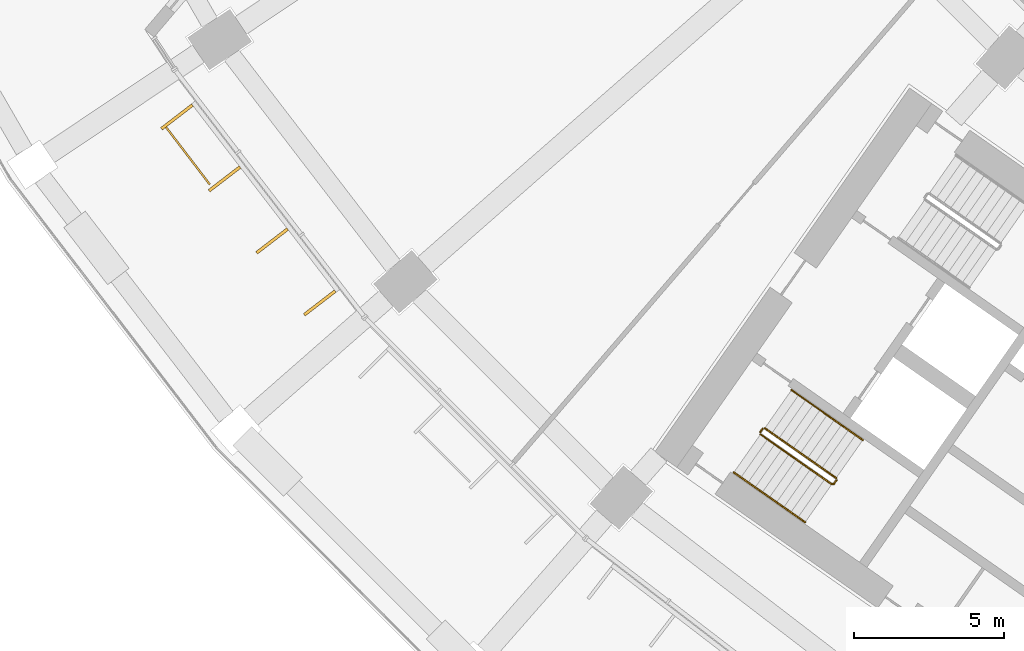
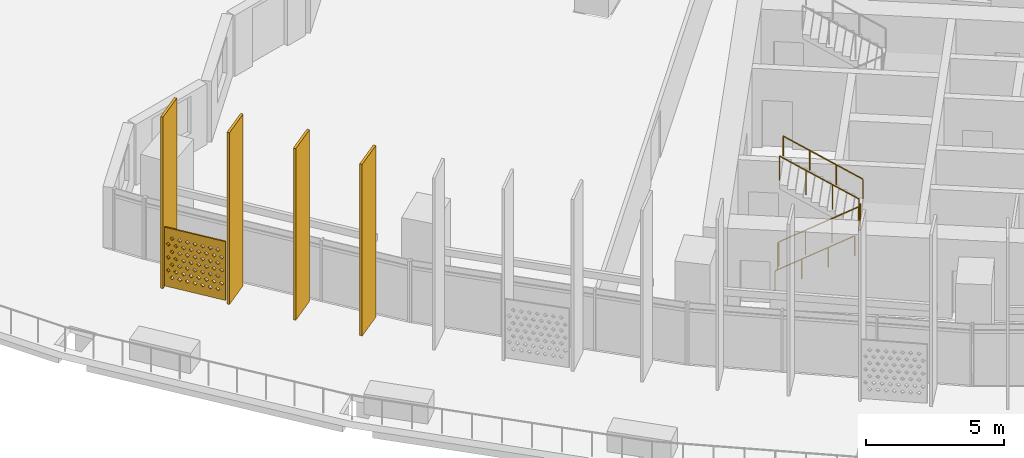
# One storey, part 26 of 35: 5 railings, 5 shading devices.
"""IFC4 building model written with IfcOpenShell, lengths in metres."""

from ifc_helpers import new_model, si_unit, direction, frame, origin, origin_2d, place, context, subcontext, project, spatial, polyline, rectangle, circle, outline, extrude, material, material_profile, profile_set, type_object, element, save


model = new_model("IFC4")

# Units and contexts
model_context = context("Model", 3, precision=1e-05, world=origin(), true_north=direction((0.0, 1.0)))
body_context = subcontext(model_context, "Body", "Model", "MODEL_VIEW")
ifc_project = project(units=[si_unit("LENGTHUNIT", "METRE"), si_unit("AREAUNIT", "SQUARE_METRE"), si_unit("VOLUMEUNIT", "CUBIC_METRE"), si_unit("PLANEANGLEUNIT", "RADIAN"), si_unit("MASSUNIT", "GRAM", prefix="KILO")], contexts=[model_context])

# Site, building, storey
site_placement = place(None, origin())
site = spatial("IfcSite", under=ifc_project, at=site_placement, CompositionType="ELEMENT")
building_placement = place(site_placement, origin())
building = spatial("IfcBuilding", under=site, at=building_placement, Name="Qamariyya Broadcast Tower", CompositionType="ELEMENT")
storey_placement = place(building_placement, frame((0.0, 0.0, 40.5)))
storey = spatial("IfcBuildingStorey", under=building, at=storey_placement, Name="L06", CompositionType="ELEMENT", Elevation=40.5)

# Shading device
ifc_material_1 = material(Name="Perforated glazed terracotta", Category="masonry")
ifc_material_profile_1 = material_profile(ifc_material_1, outline(polyline([(-1.199951171875, -1.300048828125), (1.199951171875, -1.300048828125), (1.199951171875, 1.300048828125), (-1.199951171875, 1.300048828125), (-1.199951171875, -1.300048828125)]), holes=[polyline([(-0.81494140625, -0.86669921875), (-0.89990234375, -0.78173828125), (-0.985107421875, -0.86669921875), (-0.89990234375, -0.95166015625), (-0.81494140625, -0.86669921875)]), polyline([(-0.514892578125, -0.86669921875), (-0.60009765625, -0.78173828125), (-0.68505859375, -0.86669921875), (-0.60009765625, -0.95166015625), (-0.514892578125, -0.86669921875)]), polyline([(-0.215087890625, -0.86669921875), (-0.300048828125, -0.78173828125), (-0.385009765625, -0.86669921875), (-0.300048828125, -0.95166015625), (-0.215087890625, -0.86669921875)]), polyline([(0.0849609375, -0.86669921875), (0.0, -0.78173828125), (-0.0849609375, -0.86669921875), (0.0, -0.95166015625), (0.0849609375, -0.86669921875)]), polyline([(0.385009765625, -0.86669921875), (0.300048828125, -0.78173828125), (0.215087890625, -0.86669921875), (0.300048828125, -0.95166015625), (0.385009765625, -0.86669921875)]), polyline([(0.68505859375, -0.86669921875), (0.60009765625, -0.78173828125), (0.514892578125, -0.86669921875), (0.60009765625, -0.95166015625), (0.68505859375, -0.86669921875)]), polyline([(0.985107421875, -0.86669921875), (0.89990234375, -0.78173828125), (0.81494140625, -0.86669921875), (0.89990234375, -0.95166015625), (0.985107421875, -0.86669921875)]), polyline([(-0.965087890625, -0.577880859375), (-1.050048828125, -0.49267578125), (-1.135009765625, -0.577880859375), (-1.050048828125, -0.662841796875), (-0.965087890625, -0.577880859375)]), polyline([(-0.6650390625, -0.577880859375), (-0.75, -0.49267578125), (-0.8349609375, -0.577880859375), (-0.75, -0.662841796875), (-0.6650390625, -0.577880859375)]), polyline([(-0.364990234375, -0.577880859375), (-0.449951171875, -0.49267578125), (-0.534912109375, -0.577880859375), (-0.449951171875, -0.662841796875), (-0.364990234375, -0.577880859375)]), polyline([(-0.06494140625, -0.577880859375), (-0.14990234375, -0.49267578125), (-0.235107421875, -0.577880859375), (-0.14990234375, -0.662841796875), (-0.06494140625, -0.577880859375)]), polyline([(0.235107421875, -0.577880859375), (0.14990234375, -0.49267578125), (0.06494140625, -0.577880859375), (0.14990234375, -0.662841796875), (0.235107421875, -0.577880859375)]), polyline([(0.534912109375, -0.577880859375), (0.449951171875, -0.49267578125), (0.364990234375, -0.577880859375), (0.449951171875, -0.662841796875), (0.534912109375, -0.577880859375)]), polyline([(0.8349609375, -0.577880859375), (0.75, -0.49267578125), (0.6650390625, -0.577880859375), (0.75, -0.662841796875), (0.8349609375, -0.577880859375)]), polyline([(1.135009765625, -0.577880859375), (1.050048828125, -0.49267578125), (0.965087890625, -0.577880859375), (1.050048828125, -0.662841796875), (1.135009765625, -0.577880859375)]), polyline([(-0.81494140625, -0.288818359375), (-0.89990234375, -0.203857421875), (-0.985107421875, -0.288818359375), (-0.89990234375, -0.373779296875), (-0.81494140625, -0.288818359375)]), polyline([(-0.514892578125, -0.288818359375), (-0.60009765625, -0.203857421875), (-0.68505859375, -0.288818359375), (-0.60009765625, -0.373779296875), (-0.514892578125, -0.288818359375)]), polyline([(-0.215087890625, -0.288818359375), (-0.300048828125, -0.203857421875), (-0.385009765625, -0.288818359375), (-0.300048828125, -0.373779296875), (-0.215087890625, -0.288818359375)]), polyline([(0.0849609375, -0.288818359375), (0.0, -0.203857421875), (-0.0849609375, -0.288818359375), (0.0, -0.373779296875), (0.0849609375, -0.288818359375)]), polyline([(0.385009765625, -0.288818359375), (0.300048828125, -0.203857421875), (0.215087890625, -0.288818359375), (0.300048828125, -0.373779296875), (0.385009765625, -0.288818359375)]), polyline([(0.68505859375, -0.288818359375), (0.60009765625, -0.203857421875), (0.514892578125, -0.288818359375), (0.60009765625, -0.373779296875), (0.68505859375, -0.288818359375)]), polyline([(0.985107421875, -0.288818359375), (0.89990234375, -0.203857421875), (0.81494140625, -0.288818359375), (0.89990234375, -0.373779296875), (0.985107421875, -0.288818359375)]), polyline([(-0.965087890625, 0.0), (-1.050048828125, 0.0849609375), (-1.135009765625, 0.0), (-1.050048828125, -0.0849609375), (-0.965087890625, 0.0)]), polyline([(-0.6650390625, 0.0), (-0.75, 0.0849609375), (-0.8349609375, 0.0), (-0.75, -0.0849609375), (-0.6650390625, 0.0)]), polyline([(-0.364990234375, 0.0), (-0.449951171875, 0.0849609375), (-0.534912109375, 0.0), (-0.449951171875, -0.0849609375), (-0.364990234375, 0.0)]), polyline([(-0.06494140625, 0.0), (-0.14990234375, 0.0849609375), (-0.235107421875, 0.0), (-0.14990234375, -0.0849609375), (-0.06494140625, 0.0)]), polyline([(0.235107421875, 0.0), (0.14990234375, 0.0849609375), (0.06494140625, 0.0), (0.14990234375, -0.0849609375), (0.235107421875, 0.0)]), polyline([(0.534912109375, 0.0), (0.449951171875, 0.0849609375), (0.364990234375, 0.0), (0.449951171875, -0.0849609375), (0.534912109375, 0.0)]), polyline([(0.8349609375, 0.0), (0.75, 0.0849609375), (0.6650390625, 0.0), (0.75, -0.0849609375), (0.8349609375, 0.0)]), polyline([(1.135009765625, 0.0), (1.050048828125, 0.0849609375), (0.965087890625, 0.0), (1.050048828125, -0.0849609375), (1.135009765625, 0.0)]), polyline([(-0.81494140625, 0.288818359375), (-0.89990234375, 0.373779296875), (-0.985107421875, 0.288818359375), (-0.89990234375, 0.203857421875), (-0.81494140625, 0.288818359375)]), polyline([(-0.514892578125, 0.288818359375), (-0.60009765625, 0.373779296875), (-0.68505859375, 0.288818359375), (-0.60009765625, 0.203857421875), (-0.514892578125, 0.288818359375)]), polyline([(-0.215087890625, 0.288818359375), (-0.300048828125, 0.373779296875), (-0.385009765625, 0.288818359375), (-0.300048828125, 0.203857421875), (-0.215087890625, 0.288818359375)]), polyline([(0.0849609375, 0.288818359375), (0.0, 0.373779296875), (-0.0849609375, 0.288818359375), (0.0, 0.203857421875), (0.0849609375, 0.288818359375)]), polyline([(0.385009765625, 0.288818359375), (0.300048828125, 0.373779296875), (0.215087890625, 0.288818359375), (0.300048828125, 0.203857421875), (0.385009765625, 0.288818359375)]), polyline([(0.68505859375, 0.288818359375), (0.60009765625, 0.373779296875), (0.514892578125, 0.288818359375), (0.60009765625, 0.203857421875), (0.68505859375, 0.288818359375)]), polyline([(0.985107421875, 0.288818359375), (0.89990234375, 0.373779296875), (0.81494140625, 0.288818359375), (0.89990234375, 0.203857421875), (0.985107421875, 0.288818359375)]), polyline([(-0.965087890625, 0.577880859375), (-1.050048828125, 0.662841796875), (-1.135009765625, 0.577880859375), (-1.050048828125, 0.49267578125), (-0.965087890625, 0.577880859375)]), polyline([(-0.6650390625, 0.577880859375), (-0.75, 0.662841796875), (-0.8349609375, 0.577880859375), (-0.75, 0.49267578125), (-0.6650390625, 0.577880859375)]), polyline([(-0.364990234375, 0.577880859375), (-0.449951171875, 0.662841796875), (-0.534912109375, 0.577880859375), (-0.449951171875, 0.49267578125), (-0.364990234375, 0.577880859375)]), polyline([(-0.06494140625, 0.577880859375), (-0.14990234375, 0.662841796875), (-0.235107421875, 0.577880859375), (-0.14990234375, 0.49267578125), (-0.06494140625, 0.577880859375)]), polyline([(0.235107421875, 0.577880859375), (0.14990234375, 0.662841796875), (0.06494140625, 0.577880859375), (0.14990234375, 0.49267578125), (0.235107421875, 0.577880859375)]), polyline([(0.534912109375, 0.577880859375), (0.449951171875, 0.662841796875), (0.364990234375, 0.577880859375), (0.449951171875, 0.49267578125), (0.534912109375, 0.577880859375)]), polyline([(0.8349609375, 0.577880859375), (0.75, 0.662841796875), (0.6650390625, 0.577880859375), (0.75, 0.49267578125), (0.8349609375, 0.577880859375)]), polyline([(1.135009765625, 0.577880859375), (1.050048828125, 0.662841796875), (0.965087890625, 0.577880859375), (1.050048828125, 0.49267578125), (1.135009765625, 0.577880859375)]), polyline([(-0.81494140625, 0.86669921875), (-0.89990234375, 0.95166015625), (-0.985107421875, 0.86669921875), (-0.89990234375, 0.78173828125), (-0.81494140625, 0.86669921875)]), polyline([(-0.514892578125, 0.86669921875), (-0.60009765625, 0.95166015625), (-0.68505859375, 0.86669921875), (-0.60009765625, 0.78173828125), (-0.514892578125, 0.86669921875)]), polyline([(-0.215087890625, 0.86669921875), (-0.300048828125, 0.95166015625), (-0.385009765625, 0.86669921875), (-0.300048828125, 0.78173828125), (-0.215087890625, 0.86669921875)]), polyline([(0.0849609375, 0.86669921875), (0.0, 0.95166015625), (-0.0849609375, 0.86669921875), (0.0, 0.78173828125), (0.0849609375, 0.86669921875)]), polyline([(0.385009765625, 0.86669921875), (0.300048828125, 0.95166015625), (0.215087890625, 0.86669921875), (0.300048828125, 0.78173828125), (0.385009765625, 0.86669921875)]), polyline([(0.68505859375, 0.86669921875), (0.60009765625, 0.95166015625), (0.514892578125, 0.86669921875), (0.60009765625, 0.78173828125), (0.68505859375, 0.86669921875)]), polyline([(0.985107421875, 0.86669921875), (0.89990234375, 0.95166015625), (0.81494140625, 0.86669921875), (0.89990234375, 0.78173828125), (0.985107421875, 0.86669921875)])]))
ifc_profile_set_1 = profile_set([ifc_material_profile_1], Name="Perforated glazed terracotta")
shading_device_type_1 = type_object("IfcShadingDeviceType", Name="Perforated terracotta screen 2400 x 2600", PredefinedType="USERDEFINED", material=ifc_profile_set_1)
shading_device_placement = place(storey_placement, frame((-65.680419921875, -47.04931640625, 1.35009765625), z_axis=(-0.794589096806, -0.607147566278, 0.0), x_axis=(0.607147566278, -0.794589096806, 0.0)))
element("IfcShadingDevice", 1, at=shading_device_placement, inside=storey, type_object=shading_device_type_1, Name="e-scr-L06-01-0", ObjectType="SCREEN", PredefinedType="USERDEFINED", context=body_context, shape_type="SweptSolid", body=[
    extrude(outline(polyline([(-1.199951171875, -1.300048828125), (1.199951171875, -1.300048828125), (1.199951171875, 1.300048828125), (-1.199951171875, 1.300048828125), (-1.199951171875, -1.300048828125)]), holes=[polyline([(-0.81494140625, -0.86669921875), (-0.89990234375, -0.78173828125), (-0.985107421875, -0.86669921875), (-0.89990234375, -0.95166015625), (-0.81494140625, -0.86669921875)]), polyline([(-0.514892578125, -0.86669921875), (-0.60009765625, -0.78173828125), (-0.68505859375, -0.86669921875), (-0.60009765625, -0.95166015625), (-0.514892578125, -0.86669921875)]), polyline([(-0.215087890625, -0.86669921875), (-0.300048828125, -0.78173828125), (-0.385009765625, -0.86669921875), (-0.300048828125, -0.95166015625), (-0.215087890625, -0.86669921875)]), polyline([(0.0849609375, -0.86669921875), (0.0, -0.78173828125), (-0.0849609375, -0.86669921875), (0.0, -0.95166015625), (0.0849609375, -0.86669921875)]), polyline([(0.385009765625, -0.86669921875), (0.300048828125, -0.78173828125), (0.215087890625, -0.86669921875), (0.300048828125, -0.95166015625), (0.385009765625, -0.86669921875)]), polyline([(0.68505859375, -0.86669921875), (0.60009765625, -0.78173828125), (0.514892578125, -0.86669921875), (0.60009765625, -0.95166015625), (0.68505859375, -0.86669921875)]), polyline([(0.985107421875, -0.86669921875), (0.89990234375, -0.78173828125), (0.81494140625, -0.86669921875), (0.89990234375, -0.95166015625), (0.985107421875, -0.86669921875)]), polyline([(-0.965087890625, -0.577880859375), (-1.050048828125, -0.49267578125), (-1.135009765625, -0.577880859375), (-1.050048828125, -0.662841796875), (-0.965087890625, -0.577880859375)]), polyline([(-0.6650390625, -0.577880859375), (-0.75, -0.49267578125), (-0.8349609375, -0.577880859375), (-0.75, -0.662841796875), (-0.6650390625, -0.577880859375)]), polyline([(-0.364990234375, -0.577880859375), (-0.449951171875, -0.49267578125), (-0.534912109375, -0.577880859375), (-0.449951171875, -0.662841796875), (-0.364990234375, -0.577880859375)]), polyline([(-0.06494140625, -0.577880859375), (-0.14990234375, -0.49267578125), (-0.235107421875, -0.577880859375), (-0.14990234375, -0.662841796875), (-0.06494140625, -0.577880859375)]), polyline([(0.235107421875, -0.577880859375), (0.14990234375, -0.49267578125), (0.06494140625, -0.577880859375), (0.14990234375, -0.662841796875), (0.235107421875, -0.577880859375)]), polyline([(0.534912109375, -0.577880859375), (0.449951171875, -0.49267578125), (0.364990234375, -0.577880859375), (0.449951171875, -0.662841796875), (0.534912109375, -0.577880859375)]), polyline([(0.8349609375, -0.577880859375), (0.75, -0.49267578125), (0.6650390625, -0.577880859375), (0.75, -0.662841796875), (0.8349609375, -0.577880859375)]), polyline([(1.135009765625, -0.577880859375), (1.050048828125, -0.49267578125), (0.965087890625, -0.577880859375), (1.050048828125, -0.662841796875), (1.135009765625, -0.577880859375)]), polyline([(-0.81494140625, -0.288818359375), (-0.89990234375, -0.203857421875), (-0.985107421875, -0.288818359375), (-0.89990234375, -0.373779296875), (-0.81494140625, -0.288818359375)]), polyline([(-0.514892578125, -0.288818359375), (-0.60009765625, -0.203857421875), (-0.68505859375, -0.288818359375), (-0.60009765625, -0.373779296875), (-0.514892578125, -0.288818359375)]), polyline([(-0.215087890625, -0.288818359375), (-0.300048828125, -0.203857421875), (-0.385009765625, -0.288818359375), (-0.300048828125, -0.373779296875), (-0.215087890625, -0.288818359375)]), polyline([(0.0849609375, -0.288818359375), (0.0, -0.203857421875), (-0.0849609375, -0.288818359375), (0.0, -0.373779296875), (0.0849609375, -0.288818359375)]), polyline([(0.385009765625, -0.288818359375), (0.300048828125, -0.203857421875), (0.215087890625, -0.288818359375), (0.300048828125, -0.373779296875), (0.385009765625, -0.288818359375)]), polyline([(0.68505859375, -0.288818359375), (0.60009765625, -0.203857421875), (0.514892578125, -0.288818359375), (0.60009765625, -0.373779296875), (0.68505859375, -0.288818359375)]), polyline([(0.985107421875, -0.288818359375), (0.89990234375, -0.203857421875), (0.81494140625, -0.288818359375), (0.89990234375, -0.373779296875), (0.985107421875, -0.288818359375)]), polyline([(-0.965087890625, 0.0), (-1.050048828125, 0.0849609375), (-1.135009765625, 0.0), (-1.050048828125, -0.0849609375), (-0.965087890625, 0.0)]), polyline([(-0.6650390625, 0.0), (-0.75, 0.0849609375), (-0.8349609375, 0.0), (-0.75, -0.0849609375), (-0.6650390625, 0.0)]), polyline([(-0.364990234375, 0.0), (-0.449951171875, 0.0849609375), (-0.534912109375, 0.0), (-0.449951171875, -0.0849609375), (-0.364990234375, 0.0)]), polyline([(-0.06494140625, 0.0), (-0.14990234375, 0.0849609375), (-0.235107421875, 0.0), (-0.14990234375, -0.0849609375), (-0.06494140625, 0.0)]), polyline([(0.235107421875, 0.0), (0.14990234375, 0.0849609375), (0.06494140625, 0.0), (0.14990234375, -0.0849609375), (0.235107421875, 0.0)]), polyline([(0.534912109375, 0.0), (0.449951171875, 0.0849609375), (0.364990234375, 0.0), (0.449951171875, -0.0849609375), (0.534912109375, 0.0)]), polyline([(0.8349609375, 0.0), (0.75, 0.0849609375), (0.6650390625, 0.0), (0.75, -0.0849609375), (0.8349609375, 0.0)]), polyline([(1.135009765625, 0.0), (1.050048828125, 0.0849609375), (0.965087890625, 0.0), (1.050048828125, -0.0849609375), (1.135009765625, 0.0)]), polyline([(-0.81494140625, 0.288818359375), (-0.89990234375, 0.373779296875), (-0.985107421875, 0.288818359375), (-0.89990234375, 0.203857421875), (-0.81494140625, 0.288818359375)]), polyline([(-0.514892578125, 0.288818359375), (-0.60009765625, 0.373779296875), (-0.68505859375, 0.288818359375), (-0.60009765625, 0.203857421875), (-0.514892578125, 0.288818359375)]), polyline([(-0.215087890625, 0.288818359375), (-0.300048828125, 0.373779296875), (-0.385009765625, 0.288818359375), (-0.300048828125, 0.203857421875), (-0.215087890625, 0.288818359375)]), polyline([(0.0849609375, 0.288818359375), (0.0, 0.373779296875), (-0.0849609375, 0.288818359375), (0.0, 0.203857421875), (0.0849609375, 0.288818359375)]), polyline([(0.385009765625, 0.288818359375), (0.300048828125, 0.373779296875), (0.215087890625, 0.288818359375), (0.300048828125, 0.203857421875), (0.385009765625, 0.288818359375)]), polyline([(0.68505859375, 0.288818359375), (0.60009765625, 0.373779296875), (0.514892578125, 0.288818359375), (0.60009765625, 0.203857421875), (0.68505859375, 0.288818359375)]), polyline([(0.985107421875, 0.288818359375), (0.89990234375, 0.373779296875), (0.81494140625, 0.288818359375), (0.89990234375, 0.203857421875), (0.985107421875, 0.288818359375)]), polyline([(-0.965087890625, 0.577880859375), (-1.050048828125, 0.662841796875), (-1.135009765625, 0.577880859375), (-1.050048828125, 0.49267578125), (-0.965087890625, 0.577880859375)]), polyline([(-0.6650390625, 0.577880859375), (-0.75, 0.662841796875), (-0.8349609375, 0.577880859375), (-0.75, 0.49267578125), (-0.6650390625, 0.577880859375)]), polyline([(-0.364990234375, 0.577880859375), (-0.449951171875, 0.662841796875), (-0.534912109375, 0.577880859375), (-0.449951171875, 0.49267578125), (-0.364990234375, 0.577880859375)]), polyline([(-0.06494140625, 0.577880859375), (-0.14990234375, 0.662841796875), (-0.235107421875, 0.577880859375), (-0.14990234375, 0.49267578125), (-0.06494140625, 0.577880859375)]), polyline([(0.235107421875, 0.577880859375), (0.14990234375, 0.662841796875), (0.06494140625, 0.577880859375), (0.14990234375, 0.49267578125), (0.235107421875, 0.577880859375)]), polyline([(0.534912109375, 0.577880859375), (0.449951171875, 0.662841796875), (0.364990234375, 0.577880859375), (0.449951171875, 0.49267578125), (0.534912109375, 0.577880859375)]), polyline([(0.8349609375, 0.577880859375), (0.75, 0.662841796875), (0.6650390625, 0.577880859375), (0.75, 0.49267578125), (0.8349609375, 0.577880859375)]), polyline([(1.135009765625, 0.577880859375), (1.050048828125, 0.662841796875), (0.965087890625, 0.577880859375), (1.050048828125, 0.49267578125), (1.135009765625, 0.577880859375)]), polyline([(-0.81494140625, 0.86669921875), (-0.89990234375, 0.95166015625), (-0.985107421875, 0.86669921875), (-0.89990234375, 0.78173828125), (-0.81494140625, 0.86669921875)]), polyline([(-0.514892578125, 0.86669921875), (-0.60009765625, 0.95166015625), (-0.68505859375, 0.86669921875), (-0.60009765625, 0.78173828125), (-0.514892578125, 0.86669921875)]), polyline([(-0.215087890625, 0.86669921875), (-0.300048828125, 0.95166015625), (-0.385009765625, 0.86669921875), (-0.300048828125, 0.78173828125), (-0.215087890625, 0.86669921875)]), polyline([(0.0849609375, 0.86669921875), (0.0, 0.95166015625), (-0.0849609375, 0.86669921875), (0.0, 0.78173828125), (0.0849609375, 0.86669921875)]), polyline([(0.385009765625, 0.86669921875), (0.300048828125, 0.95166015625), (0.215087890625, 0.86669921875), (0.300048828125, 0.78173828125), (0.385009765625, 0.86669921875)]), polyline([(0.68505859375, 0.86669921875), (0.60009765625, 0.95166015625), (0.514892578125, 0.86669921875), (0.60009765625, 0.78173828125), (0.68505859375, 0.86669921875)]), polyline([(0.985107421875, 0.86669921875), (0.89990234375, 0.95166015625), (0.81494140625, 0.86669921875), (0.89990234375, 0.78173828125), (0.985107421875, 0.86669921875)])]), origin(), (0.0, 0.0, 1.0), 0.059814453125),
])

# Railings
ifc_material_2 = material(Name="Painted steel", Category="steel")
railing_type_1 = type_object("IfcRailingType", Name="Stair guard", PredefinedType="GUARDRAIL", material=ifc_material_2)
railing_1_placement = place(storey_placement, frame((-46.624267578125, -56.34765625, 0.172607421875)))
element("IfcRailing", 2, at=railing_1_placement, inside=storey, type_object=railing_type_1, Name="L06 ST-W1 stair guard 1", PredefinedType="GUARDRAIL", context=body_context, shape_type="SweptSolid", body=[
    extrude(circle(Radius=0.02392578125, at=origin_2d()), frame((0.0, 0.0, 1.076171875), z_axis=(0.703745009021, -0.492838488332, 0.511715923826), x_axis=(0.573631830683, 0.819113253969, 0.0)), (0.0, 0.0, 1.0), 3.37548828125),
    extrude(circle(Radius=0.02392578125, at=origin_2d()), frame((2.37548828125, -1.66357421875, 2.80322265625), z_axis=(0.984363469884, 0.176149252506, 0.0), x_axis=(-0.176149252506, 0.984363469884, 0.0)), (0.0, 0.0, 1.0), 0.07080078125),
    extrude(circle(Radius=0.02392578125, at=origin_2d()), frame((2.445068359375, -1.651123046875, 2.80322265625), z_axis=(0.574444878118, 0.818543268254, 0.0), x_axis=(-0.818543268254, 0.574444878118, 0.0)), (0.0, 0.0, 1.0), 0.150146484375),
    extrude(circle(Radius=0.02099609375, at=origin_2d()), origin(), (0.0, 0.0, 1.0), 1.052001953125),
    extrude(circle(Radius=0.02099609375, at=origin_2d()), frame((0.791748046875, -0.554443359375, 0.57568359375)), (0.0, 0.0, 1.0), 1.052001953125),
    extrude(circle(Radius=0.02099609375, at=origin_2d()), frame((1.583740234375, -1.109130859375, 1.151611328125)), (0.0, 0.0, 1.0), 1.052001953125),
    extrude(circle(Radius=0.02099609375, at=origin_2d()), frame((2.37548828125, -1.66357421875, 1.727294921875)), (0.0, 0.0, 1.0), 1.052001953125),
    extrude(circle(Radius=0.02099609375, at=origin_2d()), frame((2.445068359375, -1.651123046875, 1.727294921875)), (0.0, 0.0, 1.0), 1.052001953125),
    extrude(circle(Radius=0.02099609375, at=origin_2d()), frame((2.53125, -1.5283203125, 1.727294921875)), (0.0, 0.0, 1.0), 1.052001953125),
])
railing_2_placement = place(storey_placement, frame((-44.10546875, -57.806396484375, 2.07275390625)))
element("IfcRailing", 3, at=railing_2_placement, inside=storey, type_object=railing_type_1, Name="L06 ST-W1 stair guard 2", PredefinedType="GUARDRAIL", context=body_context, shape_type="SweptSolid", body=[
    extrude(circle(Radius=0.02392578125, at=origin_2d()), frame((0.0, 0.0, 1.076171875), z_axis=(-0.703770094002, 0.492783725636, 0.511734163933), x_axis=(-0.573575343427, -0.819152809562, 0.0)), (0.0, 0.0, 1.0), 3.37548828125),
    extrude(circle(Radius=0.02099609375, at=origin_2d()), origin(), (0.0, 0.0, 1.0), 1.052001953125),
    extrude(circle(Radius=0.02099609375, at=origin_2d()), frame((-0.791748046875, 0.554443359375, 0.57568359375)), (0.0, 0.0, 1.0), 1.052001953125),
    extrude(circle(Radius=0.02099609375, at=origin_2d()), frame((-1.583740234375, 1.10888671875, 1.151611328125)), (0.0, 0.0, 1.0), 1.052001953125),
    extrude(circle(Radius=0.02099609375, at=origin_2d()), frame((-2.37548828125, 1.663330078125, 1.727294921875)), (0.0, 0.0, 1.0), 1.052001953125),
])
railing_3_placement = place(storey_placement, frame((-46.63671875, -56.278076171875, 0.0)))
element("IfcRailing", 4, at=railing_3_placement, inside=storey, type_object=railing_type_1, Name="L06 ST-W1 stair guard 3", PredefinedType="GUARDRAIL", context=body_context, shape_type="SweptSolid", body=[
    extrude(circle(Radius=0.02392578125, at=origin_2d()), frame((0.0, 0.0, 1.076171875), z_axis=(0.574444878118, 0.818543268254, 0.0), x_axis=(-0.818543268254, 0.574444878118, 0.0)), (0.0, 0.0, 1.0), 0.150146484375),
    extrude(circle(Radius=0.02099609375, at=origin_2d()), origin(), (0.0, 0.0, 1.0), 1.052001953125),
    extrude(circle(Radius=0.02099609375, at=origin_2d()), frame((0.086181640625, 0.122802734375, 0.0)), (0.0, 0.0, 1.0), 1.052001953125),
])
ifc_material_3 = material(Name="Stainless steel", Category="steel")
railing_type_2 = type_object("IfcRailingType", Name="Stair handrail", PredefinedType="HANDRAIL", material=ifc_material_3)
railing_4_placement = place(storey_placement, frame((-47.513427734375, -57.617431640625, 0.172607421875)))
element("IfcRailing", 5, at=railing_4_placement, inside=storey, type_object=railing_type_2, Name="L06 ST-W1 stair handrail 1", PredefinedType="HANDRAIL", context=body_context, shape_type="SweptSolid", body=[
    extrude(circle(Radius=0.02392578125, at=origin_2d()), frame((0.0, 0.0, 0.8759765625), z_axis=(0.703770094002, -0.492783725636, 0.511734163933), x_axis=(0.573575343427, 0.819152809562, 0.0)), (0.0, 0.0, 1.0), 3.37548828125),
    extrude(circle(Radius=0.02099609375, at=origin_2d()), origin(), (0.0, 0.0, 1.0), 0.851806640625),
    extrude(circle(Radius=0.02099609375, at=origin_2d()), frame((0.791748046875, -0.554443359375, 0.57568359375)), (0.0, 0.0, 1.0), 0.851806640625),
    extrude(circle(Radius=0.02099609375, at=origin_2d()), frame((1.583740234375, -1.10888671875, 1.151611328125)), (0.0, 0.0, 1.0), 0.851806640625),
    extrude(circle(Radius=0.02099609375, at=origin_2d()), frame((2.37548828125, -1.663330078125, 1.727294921875)), (0.0, 0.0, 1.0), 0.851806640625),
])
railing_5_placement = place(storey_placement, frame((-43.21630859375, -56.53662109375, 2.07275390625)))
element("IfcRailing", 6, at=railing_5_placement, inside=storey, type_object=railing_type_2, Name="L06 ST-W1 stair handrail 2", PredefinedType="HANDRAIL", context=body_context, shape_type="SweptSolid", body=[
    extrude(circle(Radius=0.02392578125, at=origin_2d()), frame((0.0, 0.0, 0.8759765625), z_axis=(-0.703770094002, 0.492783725636, 0.511734163933), x_axis=(-0.573575343427, -0.819152809562, 0.0)), (0.0, 0.0, 1.0), 3.37548828125),
    extrude(circle(Radius=0.02099609375, at=origin_2d()), origin(), (0.0, 0.0, 1.0), 0.851806640625),
    extrude(circle(Radius=0.02099609375, at=origin_2d()), frame((-0.791748046875, 0.554443359375, 0.57568359375)), (0.0, 0.0, 1.0), 0.851806640625),
    extrude(circle(Radius=0.02099609375, at=origin_2d()), frame((-1.583740234375, 1.10888671875, 1.151611328125)), (0.0, 0.0, 1.0), 0.851806640625),
    extrude(circle(Radius=0.02099609375, at=origin_2d()), frame((-2.37548828125, 1.663330078125, 1.727294921875)), (0.0, 0.0, 1.0), 0.851806640625),
])

# Shading devices
ifc_material_4 = material(Name="Glazed terracotta", Category="masonry")
ifc_material_profile_2 = material_profile(ifc_material_4, rectangle(XDim=1.300048828125, YDim=0.10009765625, at=origin_2d()))
ifc_profile_set_2 = profile_set([ifc_material_profile_2], Name="Glazed terracotta")
shading_device_type_2 = type_object("IfcShadingDeviceType", Name="Terracotta fin 100 x 1300", PredefinedType="USERDEFINED", material=ifc_profile_set_2)
for number, where, z_axis, x_axis, name in (
    (7, (-66.068359375, -45.771484375, 0.0), (0.0, 0.0, 1.0), (-0.793353340291, -0.608761429009, 0.0), "e-fin-L06-01-0"),
    (8, (-64.48291015625, -47.837890625, 0.0), (0.0, 0.0, 1.0), (-0.793353340291, -0.608761429009, 0.0), "e-fin-L06-01-1"),
    (9, (-62.897216796875, -49.904296875, 0.0), (0.0, 0.0, 1.0), (-0.793353340291, -0.608761429009, 0.0), "e-fin-L06-01-2"),
    (10, (-61.3115234375, -51.970703125, 0.0), (0.0, 0.0, 1.0), (-0.793353340291, -0.608761429009, 0.0), "e-fin-L06-01-3"),
):
    element("IfcShadingDevice", number, at=place(storey_placement, frame(where, z_axis=z_axis, x_axis=x_axis)), inside=storey, type_object=shading_device_type_2, Name=name, ObjectType="FIN", PredefinedType="USERDEFINED", context=body_context, shape_type="SweptSolid", body=[
        extrude(rectangle(XDim=1.300048828125, YDim=0.10009765625, at=origin_2d()), origin(), (0.0, 0.0, 1.0), 7.60009765625),
    ])

save(model, "model.ifc")
